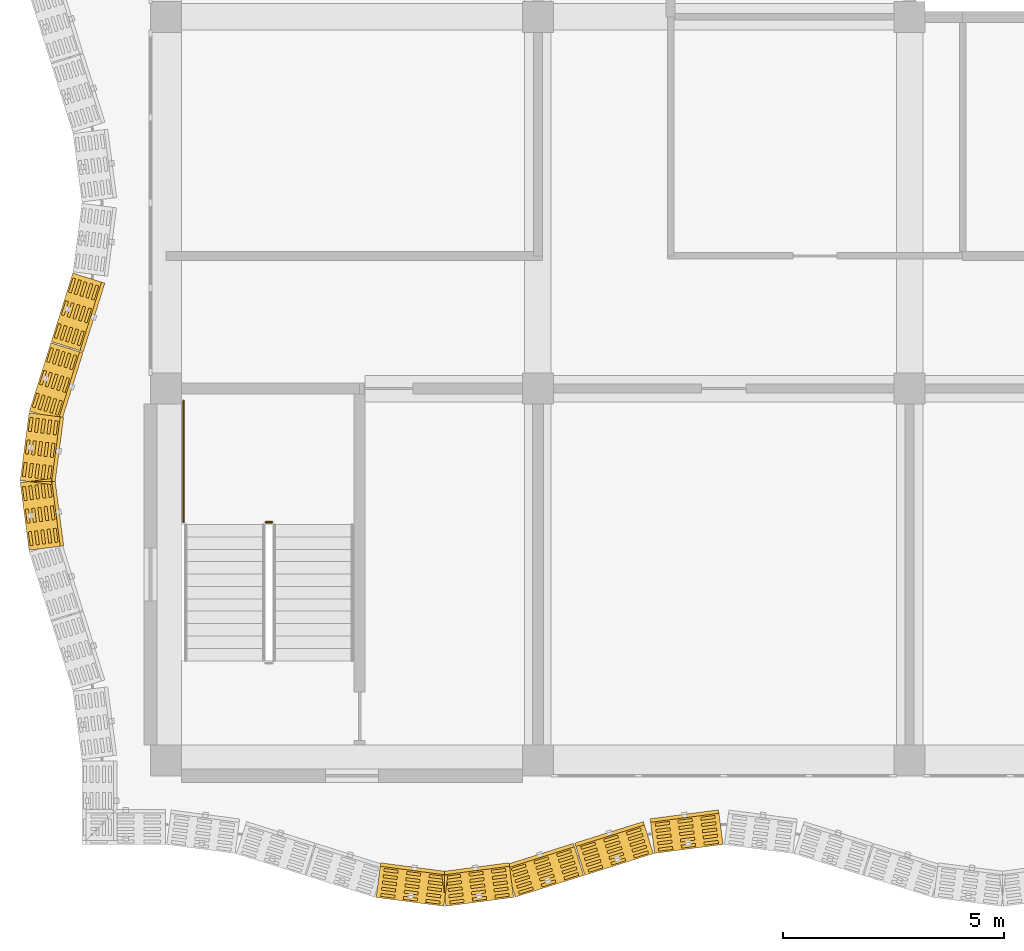
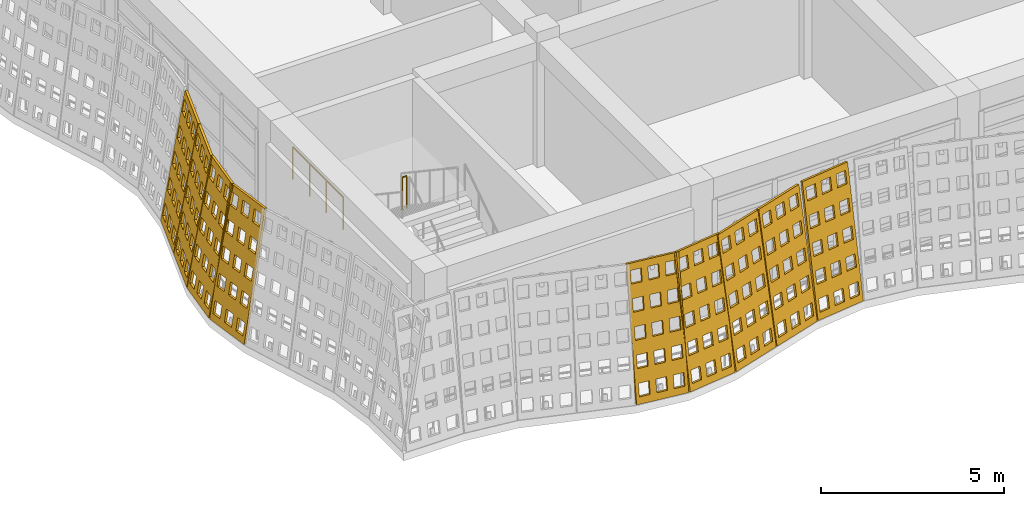
# One storey, part 114 of 162: 9 coverings, 2 railings.
"""IFC4 building model written with IfcOpenShell, lengths in metres."""

from ifc_helpers import new_model, si_unit, direction, frame, origin, origin_2d, place, context, subcontext, project, spatial, polyline, circle, outline, extrude, material, layer, layer_set, type_object, element, save


model = new_model("IFC4")

# Units and contexts
model_context = context("Model", 3, precision=1e-05, world=origin(), true_north=direction((0.0, 1.0)))
body_context = subcontext(model_context, "Body", "Model", "MODEL_VIEW")
ifc_project = project(units=[si_unit("LENGTHUNIT", "METRE"), si_unit("AREAUNIT", "SQUARE_METRE"), si_unit("VOLUMEUNIT", "CUBIC_METRE"), si_unit("PLANEANGLEUNIT", "RADIAN"), si_unit("MASSUNIT", "GRAM", prefix="KILO")], contexts=[model_context])

# Site, building, storey
site_placement = place(None, origin())
site = spatial("IfcSite", under=ifc_project, at=site_placement, CompositionType="ELEMENT")
building_placement = place(site_placement, origin())
building = spatial("IfcBuilding", under=site, at=building_placement, Name="Rain Tree Exposition and Congress Centre", CompositionType="ELEMENT")
storey_placement = place(building_placement, frame((0.0, 0.0, 6.0)))
storey = spatial("IfcBuildingStorey", under=building, at=storey_placement, Name="L01", CompositionType="ELEMENT", Elevation=6.0)

# Coverings
ifc_material_1 = material(Name="Perforated terracotta", Category="masonry")
ifc_layer = layer(ifc_material_1, 0.080078125)
ifc_layer_set = layer_set([ifc_layer], Name="Perforated terracotta")
covering_type = type_object("IfcCoveringType", Name="Terracotta screen 80", PredefinedType="CLADDING", material=ifc_layer_set)
covering_1_placement = place(storey_placement, frame((4.725341796875, -3.093017578125, 0.01318359375), z_axis=(0.128349774249, 0.9779030419, -0.165021138321), x_axis=(-0.991496427865, 0.130133906157, 0.0)))
element("IfcCovering", 1, at=covering_1_placement, inside=storey, type_object=covering_type, Name="wing/screen/L01/004", PredefinedType="CLADDING", context=body_context, shape_type="SweptSolid", body=[
    extrude(outline(polyline([(-1.56298828125, 0.0), (-1.56298828125, 4.295166015625), (-0.02197265625, 4.295166015625), (-0.02197265625, 0.0), (-1.56298828125, 0.0)]), holes=[polyline([(-0.11962890625, 0.2216796875), (-0.11962890625, 0.63720703125), (-0.43798828125, 0.63720703125), (-0.43798828125, 0.2216796875), (-0.11962890625, 0.2216796875)]), polyline([(-0.11962890625, 1.080810546875), (-0.11962890625, 1.496337890625), (-0.43798828125, 1.496337890625), (-0.43798828125, 1.080810546875), (-0.11962890625, 1.080810546875)]), polyline([(-0.11962890625, 1.939697265625), (-0.11962890625, 2.35546875), (-0.43798828125, 2.35546875), (-0.43798828125, 1.939697265625), (-0.11962890625, 1.939697265625)]), polyline([(-0.11962890625, 2.798583984375), (-0.11962890625, 3.21435546875), (-0.43798828125, 3.21435546875), (-0.43798828125, 2.798583984375), (-0.11962890625, 2.798583984375)]), polyline([(-0.11962890625, 3.65771484375), (-0.11962890625, 4.073486328125), (-0.43798828125, 4.073486328125), (-0.43798828125, 3.65771484375), (-0.11962890625, 3.65771484375)]), polyline([(-0.63330078125, 0.2216796875), (-0.63330078125, 0.63720703125), (-0.95166015625, 0.63720703125), (-0.95166015625, 0.2216796875), (-0.63330078125, 0.2216796875)]), polyline([(-0.63330078125, 1.080810546875), (-0.63330078125, 1.496337890625), (-0.95166015625, 1.496337890625), (-0.95166015625, 1.080810546875), (-0.63330078125, 1.080810546875)]), polyline([(-0.63330078125, 1.939697265625), (-0.63330078125, 2.35546875), (-0.95166015625, 2.35546875), (-0.95166015625, 1.939697265625), (-0.63330078125, 1.939697265625)]), polyline([(-0.63330078125, 2.798583984375), (-0.63330078125, 3.21435546875), (-0.95166015625, 3.21435546875), (-0.95166015625, 2.798583984375), (-0.63330078125, 2.798583984375)]), polyline([(-0.63330078125, 3.65771484375), (-0.63330078125, 4.073486328125), (-0.95166015625, 4.073486328125), (-0.95166015625, 3.65771484375), (-0.63330078125, 3.65771484375)]), polyline([(-1.146728515625, 0.2216796875), (-1.146728515625, 0.63720703125), (-1.46533203125, 0.63720703125), (-1.46533203125, 0.2216796875), (-1.146728515625, 0.2216796875)]), polyline([(-1.146728515625, 1.080810546875), (-1.146728515625, 1.496337890625), (-1.46533203125, 1.496337890625), (-1.46533203125, 1.080810546875), (-1.146728515625, 1.080810546875)]), polyline([(-1.146728515625, 1.939697265625), (-1.146728515625, 2.35546875), (-1.46533203125, 2.35546875), (-1.46533203125, 1.939697265625), (-1.146728515625, 1.939697265625)]), polyline([(-1.146728515625, 2.798583984375), (-1.146728515625, 3.21435546875), (-1.46533203125, 3.21435546875), (-1.46533203125, 2.798583984375), (-1.146728515625, 2.798583984375)]), polyline([(-1.146728515625, 3.65771484375), (-1.146728515625, 4.073486328125), (-1.46533203125, 4.073486328125), (-1.46533203125, 3.65771484375), (-1.146728515625, 3.65771484375)])]), origin(), (0.0, 0.0, 1.0), 0.079833984375),
])
covering_2_placement = place(storey_placement, frame((6.2998046875, -3.298095703125, 0.01318359375), z_axis=(-0.128349774249, 0.9779030419, -0.165021138321), x_axis=(-0.991496427865, -0.130133906157, 0.0)))
element("IfcCovering", 2, at=covering_2_placement, inside=storey, type_object=covering_type, Name="wing/screen/L01/005", PredefinedType="CLADDING", context=body_context, shape_type="SweptSolid", body=[
    extrude(outline(polyline([(-1.56640625, 0.0), (-1.56640625, 4.295166015625), (-0.025390625, 4.295166015625), (-0.025390625, 0.0), (-1.56640625, 0.0)]), holes=[polyline([(-0.123046875, 0.2216796875), (-0.123046875, 0.63720703125), (-0.44140625, 0.63720703125), (-0.44140625, 0.2216796875), (-0.123046875, 0.2216796875)]), polyline([(-0.123046875, 1.080810546875), (-0.123046875, 1.496337890625), (-0.44140625, 1.496337890625), (-0.44140625, 1.080810546875), (-0.123046875, 1.080810546875)]), polyline([(-0.123046875, 1.939697265625), (-0.123046875, 2.35546875), (-0.44140625, 2.35546875), (-0.44140625, 1.939697265625), (-0.123046875, 1.939697265625)]), polyline([(-0.123046875, 2.798583984375), (-0.123046875, 3.21435546875), (-0.44140625, 3.21435546875), (-0.44140625, 2.798583984375), (-0.123046875, 2.798583984375)]), polyline([(-0.123046875, 3.65771484375), (-0.123046875, 4.073486328125), (-0.44140625, 4.073486328125), (-0.44140625, 3.65771484375), (-0.123046875, 3.65771484375)]), polyline([(-0.63671875, 0.2216796875), (-0.63671875, 0.63720703125), (-0.955078125, 0.63720703125), (-0.955078125, 0.2216796875), (-0.63671875, 0.2216796875)]), polyline([(-0.63671875, 1.080810546875), (-0.63671875, 1.496337890625), (-0.955078125, 1.496337890625), (-0.955078125, 1.080810546875), (-0.63671875, 1.080810546875)]), polyline([(-0.63671875, 1.939697265625), (-0.63671875, 2.35546875), (-0.955078125, 2.35546875), (-0.955078125, 1.939697265625), (-0.63671875, 1.939697265625)]), polyline([(-0.63671875, 2.798583984375), (-0.63671875, 3.21435546875), (-0.955078125, 3.21435546875), (-0.955078125, 2.798583984375), (-0.63671875, 2.798583984375)]), polyline([(-0.63671875, 3.65771484375), (-0.63671875, 4.073486328125), (-0.955078125, 4.073486328125), (-0.955078125, 3.65771484375), (-0.63671875, 3.65771484375)]), polyline([(-1.150146484375, 0.2216796875), (-1.150146484375, 0.63720703125), (-1.46875, 0.63720703125), (-1.46875, 0.2216796875), (-1.150146484375, 0.2216796875)]), polyline([(-1.150146484375, 1.080810546875), (-1.150146484375, 1.496337890625), (-1.46875, 1.496337890625), (-1.46875, 1.080810546875), (-1.150146484375, 1.080810546875)]), polyline([(-1.150146484375, 1.939697265625), (-1.150146484375, 2.35546875), (-1.46875, 2.35546875), (-1.46875, 1.939697265625), (-1.150146484375, 1.939697265625)]), polyline([(-1.150146484375, 2.798583984375), (-1.150146484375, 3.21435546875), (-1.46875, 3.21435546875), (-1.46875, 2.798583984375), (-1.150146484375, 2.798583984375)]), polyline([(-1.150146484375, 3.65771484375), (-1.150146484375, 4.073486328125), (-1.46875, 4.073486328125), (-1.46875, 3.65771484375), (-1.150146484375, 3.65771484375)])]), origin(), (0.0, 0.0, 1.0), 0.079833984375),
])
covering_3_placement = place(storey_placement, frame((7.87451171875, -3.093505859375, 0.0126953125), z_axis=(-0.298496232686, 0.941176896939, -0.158385756119), x_axis=(-0.953208958144, -0.302312226207, 0.0)))
element("IfcCovering", 3, at=covering_3_placement, inside=storey, type_object=covering_type, Name="wing/screen/L01/006", PredefinedType="CLADDING", context=body_context, shape_type="SweptSolid", body=[
    extrude(outline(polyline([(-1.635986328125, 0.0), (-1.635986328125, 4.291259765625), (-0.02197265625, 4.291259765625), (-0.02197265625, 0.0), (-1.635986328125, 0.0)]), holes=[polyline([(-0.124267578125, 0.221435546875), (-0.124267578125, 0.63671875), (-0.457763671875, 0.63671875), (-0.457763671875, 0.221435546875), (-0.124267578125, 0.221435546875)]), polyline([(-0.124267578125, 1.07958984375), (-0.124267578125, 1.4951171875), (-0.457763671875, 1.4951171875), (-0.457763671875, 1.07958984375), (-0.124267578125, 1.07958984375)]), polyline([(-0.124267578125, 1.93798828125), (-0.124267578125, 2.353271484375), (-0.457763671875, 2.353271484375), (-0.457763671875, 1.93798828125), (-0.124267578125, 1.93798828125)]), polyline([(-0.124267578125, 2.796142578125), (-0.124267578125, 3.21142578125), (-0.457763671875, 3.21142578125), (-0.457763671875, 2.796142578125), (-0.124267578125, 2.796142578125)]), polyline([(-0.124267578125, 3.654541015625), (-0.124267578125, 4.06982421875), (-0.457763671875, 4.06982421875), (-0.457763671875, 3.654541015625), (-0.124267578125, 3.654541015625)]), polyline([(-0.662109375, 0.221435546875), (-0.662109375, 0.63671875), (-0.995849609375, 0.63671875), (-0.995849609375, 0.221435546875), (-0.662109375, 0.221435546875)]), polyline([(-0.662109375, 1.07958984375), (-0.662109375, 1.4951171875), (-0.995849609375, 1.4951171875), (-0.995849609375, 1.07958984375), (-0.662109375, 1.07958984375)]), polyline([(-0.662109375, 1.93798828125), (-0.662109375, 2.353271484375), (-0.995849609375, 2.353271484375), (-0.995849609375, 1.93798828125), (-0.662109375, 1.93798828125)]), polyline([(-0.662109375, 2.796142578125), (-0.662109375, 3.21142578125), (-0.995849609375, 3.21142578125), (-0.995849609375, 2.796142578125), (-0.662109375, 2.796142578125)]), polyline([(-0.662109375, 3.654541015625), (-0.662109375, 4.06982421875), (-0.995849609375, 4.06982421875), (-0.995849609375, 3.654541015625), (-0.662109375, 3.654541015625)]), polyline([(-1.2001953125, 0.221435546875), (-1.2001953125, 0.63671875), (-1.53369140625, 0.63671875), (-1.53369140625, 0.221435546875), (-1.2001953125, 0.221435546875)]), polyline([(-1.2001953125, 1.07958984375), (-1.2001953125, 1.4951171875), (-1.53369140625, 1.4951171875), (-1.53369140625, 1.07958984375), (-1.2001953125, 1.07958984375)]), polyline([(-1.2001953125, 1.93798828125), (-1.2001953125, 2.353271484375), (-1.53369140625, 2.353271484375), (-1.53369140625, 1.93798828125), (-1.2001953125, 1.93798828125)]), polyline([(-1.2001953125, 2.796142578125), (-1.2001953125, 3.21142578125), (-1.53369140625, 3.21142578125), (-1.53369140625, 2.796142578125), (-1.2001953125, 2.796142578125)]), polyline([(-1.2001953125, 3.654541015625), (-1.2001953125, 4.06982421875), (-1.53369140625, 4.06982421875), (-1.53369140625, 3.654541015625), (-1.2001953125, 3.654541015625)])]), origin(), (0.0, 0.0, 1.0), 0.080078125),
])
covering_4_placement = place(storey_placement, frame((9.449462890625, -2.598388671875, 0.0126953125), z_axis=(-0.295717964052, 0.942029390639, -0.158529217842), x_axis=(-0.954094597562, -0.29950542383, 0.0)))
element("IfcCovering", 4, at=covering_4_placement, inside=storey, type_object=covering_type, Name="wing/screen/L01/007", PredefinedType="CLADDING", context=body_context, shape_type="SweptSolid", body=[
    extrude(outline(polyline([(-1.635986328125, 0.0), (-1.635986328125, 4.291259765625), (-0.014892578125, 4.291259765625), (-0.014892578125, 0.0), (-1.635986328125, 0.0)]), holes=[polyline([(-0.11767578125, 0.221435546875), (-0.11767578125, 0.63671875), (-0.45263671875, 0.63671875), (-0.45263671875, 0.221435546875), (-0.11767578125, 0.221435546875)]), polyline([(-0.11767578125, 1.07958984375), (-0.11767578125, 1.4951171875), (-0.45263671875, 1.4951171875), (-0.45263671875, 1.07958984375), (-0.11767578125, 1.07958984375)]), polyline([(-0.11767578125, 1.93798828125), (-0.11767578125, 2.353271484375), (-0.45263671875, 2.353271484375), (-0.45263671875, 1.93798828125), (-0.11767578125, 1.93798828125)]), polyline([(-0.11767578125, 2.796142578125), (-0.11767578125, 3.21142578125), (-0.45263671875, 3.21142578125), (-0.45263671875, 2.796142578125), (-0.11767578125, 2.796142578125)]), polyline([(-0.11767578125, 3.654541015625), (-0.11767578125, 4.06982421875), (-0.45263671875, 4.06982421875), (-0.45263671875, 3.654541015625), (-0.11767578125, 3.654541015625)]), polyline([(-0.657958984375, 0.221435546875), (-0.657958984375, 0.63671875), (-0.992919921875, 0.63671875), (-0.992919921875, 0.221435546875), (-0.657958984375, 0.221435546875)]), polyline([(-0.657958984375, 1.07958984375), (-0.657958984375, 1.4951171875), (-0.992919921875, 1.4951171875), (-0.992919921875, 1.07958984375), (-0.657958984375, 1.07958984375)]), polyline([(-0.657958984375, 1.93798828125), (-0.657958984375, 2.353271484375), (-0.992919921875, 2.353271484375), (-0.992919921875, 1.93798828125), (-0.657958984375, 1.93798828125)]), polyline([(-0.657958984375, 2.796142578125), (-0.657958984375, 3.21142578125), (-0.992919921875, 3.21142578125), (-0.992919921875, 2.796142578125), (-0.657958984375, 2.796142578125)]), polyline([(-0.657958984375, 3.654541015625), (-0.657958984375, 4.06982421875), (-0.992919921875, 4.06982421875), (-0.992919921875, 3.654541015625), (-0.657958984375, 3.654541015625)]), polyline([(-1.1982421875, 0.221435546875), (-1.1982421875, 0.63671875), (-1.533203125, 0.63671875), (-1.533203125, 0.221435546875), (-1.1982421875, 0.221435546875)]), polyline([(-1.1982421875, 1.07958984375), (-1.1982421875, 1.4951171875), (-1.533203125, 1.4951171875), (-1.533203125, 1.07958984375), (-1.1982421875, 1.07958984375)]), polyline([(-1.1982421875, 1.93798828125), (-1.1982421875, 2.353271484375), (-1.533203125, 2.353271484375), (-1.533203125, 1.93798828125), (-1.1982421875, 1.93798828125)]), polyline([(-1.1982421875, 2.796142578125), (-1.1982421875, 3.21142578125), (-1.533203125, 3.21142578125), (-1.533203125, 2.796142578125), (-1.1982421875, 2.796142578125)]), polyline([(-1.1982421875, 3.654541015625), (-1.1982421875, 4.06982421875), (-1.533203125, 4.06982421875), (-1.533203125, 3.654541015625), (-1.1982421875, 3.654541015625)])]), origin(), (0.0, 0.0, 1.0), 0.080078125),
])
covering_5_placement = place(storey_placement, frame((11.024658203125, -2.10302734375, 0.01318359375), z_axis=(-0.128349774249, 0.9779030419, -0.165021138321), x_axis=(-0.991496427865, -0.130133906157, 0.0)))
element("IfcCovering", 5, at=covering_5_placement, inside=storey, type_object=covering_type, Name="wing/screen/L01/008", PredefinedType="CLADDING", context=body_context, shape_type="SweptSolid", body=[
    extrude(outline(polyline([(-1.5732421875, 0.0), (-1.5732421875, 4.295166015625), (-0.014892578125, 4.295166015625), (-0.014892578125, 0.0), (-1.5732421875, 0.0)]), holes=[polyline([(-0.11376953125, 0.2216796875), (-0.11376953125, 0.63720703125), (-0.435791015625, 0.63720703125), (-0.435791015625, 0.2216796875), (-0.11376953125, 0.2216796875)]), polyline([(-0.11376953125, 1.080810546875), (-0.11376953125, 1.496337890625), (-0.435791015625, 1.496337890625), (-0.435791015625, 1.080810546875), (-0.11376953125, 1.080810546875)]), polyline([(-0.11376953125, 1.939697265625), (-0.11376953125, 2.35546875), (-0.435791015625, 2.35546875), (-0.435791015625, 1.939697265625), (-0.11376953125, 1.939697265625)]), polyline([(-0.11376953125, 2.798583984375), (-0.11376953125, 3.21435546875), (-0.435791015625, 3.21435546875), (-0.435791015625, 2.798583984375), (-0.11376953125, 2.798583984375)]), polyline([(-0.11376953125, 3.65771484375), (-0.11376953125, 4.073486328125), (-0.435791015625, 4.073486328125), (-0.435791015625, 3.65771484375), (-0.11376953125, 3.65771484375)]), polyline([(-0.633056640625, 0.2216796875), (-0.633056640625, 0.63720703125), (-0.955078125, 0.63720703125), (-0.955078125, 0.2216796875), (-0.633056640625, 0.2216796875)]), polyline([(-0.633056640625, 1.080810546875), (-0.633056640625, 1.496337890625), (-0.955078125, 1.496337890625), (-0.955078125, 1.080810546875), (-0.633056640625, 1.080810546875)]), polyline([(-0.633056640625, 1.939697265625), (-0.633056640625, 2.35546875), (-0.955078125, 2.35546875), (-0.955078125, 1.939697265625), (-0.633056640625, 1.939697265625)]), polyline([(-0.633056640625, 2.798583984375), (-0.633056640625, 3.21435546875), (-0.955078125, 3.21435546875), (-0.955078125, 2.798583984375), (-0.633056640625, 2.798583984375)]), polyline([(-0.633056640625, 3.65771484375), (-0.633056640625, 4.073486328125), (-0.955078125, 4.073486328125), (-0.955078125, 3.65771484375), (-0.633056640625, 3.65771484375)]), polyline([(-1.152587890625, 0.2216796875), (-1.152587890625, 0.63720703125), (-1.474609375, 0.63720703125), (-1.474609375, 0.2216796875), (-1.152587890625, 0.2216796875)]), polyline([(-1.152587890625, 1.080810546875), (-1.152587890625, 1.496337890625), (-1.474609375, 1.496337890625), (-1.474609375, 1.080810546875), (-1.152587890625, 1.080810546875)]), polyline([(-1.152587890625, 1.939697265625), (-1.152587890625, 2.35546875), (-1.474609375, 2.35546875), (-1.474609375, 1.939697265625), (-1.152587890625, 1.939697265625)]), polyline([(-1.152587890625, 2.798583984375), (-1.152587890625, 3.21435546875), (-1.474609375, 3.21435546875), (-1.474609375, 2.798583984375), (-1.152587890625, 2.798583984375)]), polyline([(-1.152587890625, 3.65771484375), (-1.152587890625, 4.073486328125), (-1.474609375, 4.073486328125), (-1.474609375, 3.65771484375), (-1.152587890625, 3.65771484375)])]), origin(), (0.0, 0.0, 1.0), 0.079833984375),
])
covering_6_placement = place(storey_placement, frame((-2.103515625, 11.0244140625, 0.0126953125), z_axis=(0.942029390639, -0.295717964052, -0.158529217842), x_axis=(0.29950542383, 0.954094597562, 0.0)))
element("IfcCovering", 6, at=covering_6_placement, inside=storey, type_object=covering_type, Name="wing/screen/L01/128", PredefinedType="CLADDING", context=body_context, shape_type="SweptSolid", body=[
    extrude(outline(polyline([(-1.635986328125, 0.0), (-1.635986328125, 4.291259765625), (-0.014892578125, 4.291259765625), (-0.014892578125, 0.0), (-1.635986328125, 0.0)]), holes=[polyline([(-0.11767578125, 0.221435546875), (-0.11767578125, 0.63671875), (-0.45263671875, 0.63671875), (-0.45263671875, 0.221435546875), (-0.11767578125, 0.221435546875)]), polyline([(-0.11767578125, 1.07958984375), (-0.11767578125, 1.4951171875), (-0.45263671875, 1.4951171875), (-0.45263671875, 1.07958984375), (-0.11767578125, 1.07958984375)]), polyline([(-0.11767578125, 1.93798828125), (-0.11767578125, 2.353271484375), (-0.45263671875, 2.353271484375), (-0.45263671875, 1.93798828125), (-0.11767578125, 1.93798828125)]), polyline([(-0.11767578125, 2.796142578125), (-0.11767578125, 3.21142578125), (-0.45263671875, 3.21142578125), (-0.45263671875, 2.796142578125), (-0.11767578125, 2.796142578125)]), polyline([(-0.11767578125, 3.654541015625), (-0.11767578125, 4.06982421875), (-0.45263671875, 4.06982421875), (-0.45263671875, 3.654541015625), (-0.11767578125, 3.654541015625)]), polyline([(-0.657958984375, 0.221435546875), (-0.657958984375, 0.63671875), (-0.992919921875, 0.63671875), (-0.992919921875, 0.221435546875), (-0.657958984375, 0.221435546875)]), polyline([(-0.657958984375, 1.07958984375), (-0.657958984375, 1.4951171875), (-0.992919921875, 1.4951171875), (-0.992919921875, 1.07958984375), (-0.657958984375, 1.07958984375)]), polyline([(-0.657958984375, 1.93798828125), (-0.657958984375, 2.353271484375), (-0.992919921875, 2.353271484375), (-0.992919921875, 1.93798828125), (-0.657958984375, 1.93798828125)]), polyline([(-0.657958984375, 2.796142578125), (-0.657958984375, 3.21142578125), (-0.992919921875, 3.21142578125), (-0.992919921875, 2.796142578125), (-0.657958984375, 2.796142578125)]), polyline([(-0.657958984375, 3.654541015625), (-0.657958984375, 4.06982421875), (-0.992919921875, 4.06982421875), (-0.992919921875, 3.654541015625), (-0.657958984375, 3.654541015625)]), polyline([(-1.1982421875, 0.221435546875), (-1.1982421875, 0.63671875), (-1.533203125, 0.63671875), (-1.533203125, 0.221435546875), (-1.1982421875, 0.221435546875)]), polyline([(-1.1982421875, 1.07958984375), (-1.1982421875, 1.4951171875), (-1.533203125, 1.4951171875), (-1.533203125, 1.07958984375), (-1.1982421875, 1.07958984375)]), polyline([(-1.1982421875, 1.93798828125), (-1.1982421875, 2.353271484375), (-1.533203125, 2.353271484375), (-1.533203125, 1.93798828125), (-1.1982421875, 1.93798828125)]), polyline([(-1.1982421875, 2.796142578125), (-1.1982421875, 3.21142578125), (-1.533203125, 3.21142578125), (-1.533203125, 2.796142578125), (-1.1982421875, 2.796142578125)]), polyline([(-1.1982421875, 3.654541015625), (-1.1982421875, 4.06982421875), (-1.533203125, 4.06982421875), (-1.533203125, 3.654541015625), (-1.1982421875, 3.654541015625)])]), origin(), (0.0, 0.0, 1.0), 0.080078125),
])
covering_7_placement = place(storey_placement, frame((-2.598388671875, 9.449462890625, 0.0126953125), z_axis=(0.942029390639, -0.295717964052, -0.158529217842), x_axis=(0.29950542383, 0.954094597562, 0.0)))
element("IfcCovering", 7, at=covering_7_placement, inside=storey, type_object=covering_type, Name="wing/screen/L01/129", PredefinedType="CLADDING", context=body_context, shape_type="SweptSolid", body=[
    extrude(outline(polyline([(-1.62890625, 0.0), (-1.62890625, 4.291259765625), (-0.014892578125, 4.291259765625), (-0.014892578125, 0.0), (-1.62890625, 0.0)]), holes=[polyline([(-0.1171875, 0.221435546875), (-0.1171875, 0.63671875), (-0.45068359375, 0.63671875), (-0.45068359375, 0.221435546875), (-0.1171875, 0.221435546875)]), polyline([(-0.1171875, 1.07958984375), (-0.1171875, 1.4951171875), (-0.45068359375, 1.4951171875), (-0.45068359375, 1.07958984375), (-0.1171875, 1.07958984375)]), polyline([(-0.1171875, 1.93798828125), (-0.1171875, 2.353271484375), (-0.45068359375, 2.353271484375), (-0.45068359375, 1.93798828125), (-0.1171875, 1.93798828125)]), polyline([(-0.1171875, 2.796142578125), (-0.1171875, 3.21142578125), (-0.45068359375, 3.21142578125), (-0.45068359375, 2.796142578125), (-0.1171875, 2.796142578125)]), polyline([(-0.1171875, 3.654541015625), (-0.1171875, 4.06982421875), (-0.45068359375, 4.06982421875), (-0.45068359375, 3.654541015625), (-0.1171875, 3.654541015625)]), polyline([(-0.6552734375, 0.221435546875), (-0.6552734375, 0.63671875), (-0.98876953125, 0.63671875), (-0.98876953125, 0.221435546875), (-0.6552734375, 0.221435546875)]), polyline([(-0.6552734375, 1.07958984375), (-0.6552734375, 1.4951171875), (-0.98876953125, 1.4951171875), (-0.98876953125, 1.07958984375), (-0.6552734375, 1.07958984375)]), polyline([(-0.6552734375, 1.93798828125), (-0.6552734375, 2.353271484375), (-0.98876953125, 2.353271484375), (-0.98876953125, 1.93798828125), (-0.6552734375, 1.93798828125)]), polyline([(-0.6552734375, 2.796142578125), (-0.6552734375, 3.21142578125), (-0.98876953125, 3.21142578125), (-0.98876953125, 2.796142578125), (-0.6552734375, 2.796142578125)]), polyline([(-0.6552734375, 3.654541015625), (-0.6552734375, 4.06982421875), (-0.98876953125, 4.06982421875), (-0.98876953125, 3.654541015625), (-0.6552734375, 3.654541015625)]), polyline([(-1.193115234375, 0.221435546875), (-1.193115234375, 0.63671875), (-1.526611328125, 0.63671875), (-1.526611328125, 0.221435546875), (-1.193115234375, 0.221435546875)]), polyline([(-1.193115234375, 1.07958984375), (-1.193115234375, 1.4951171875), (-1.526611328125, 1.4951171875), (-1.526611328125, 1.07958984375), (-1.193115234375, 1.07958984375)]), polyline([(-1.193115234375, 1.93798828125), (-1.193115234375, 2.353271484375), (-1.526611328125, 2.353271484375), (-1.526611328125, 1.93798828125), (-1.193115234375, 1.93798828125)]), polyline([(-1.193115234375, 2.796142578125), (-1.193115234375, 3.21142578125), (-1.526611328125, 3.21142578125), (-1.526611328125, 2.796142578125), (-1.193115234375, 2.796142578125)]), polyline([(-1.193115234375, 3.654541015625), (-1.193115234375, 4.06982421875), (-1.526611328125, 4.06982421875), (-1.526611328125, 3.654541015625), (-1.193115234375, 3.654541015625)])]), origin(), (0.0, 0.0, 1.0), 0.080078125),
])
covering_8_placement = place(storey_placement, frame((-3.093017578125, 7.874755859375, 0.01318359375), z_axis=(0.9779030419, -0.128349774249, -0.165021138321), x_axis=(0.130133906157, 0.991496427865, 0.0)))
element("IfcCovering", 8, at=covering_8_placement, inside=storey, type_object=covering_type, Name="wing/screen/L01/130", PredefinedType="CLADDING", context=body_context, shape_type="SweptSolid", body=[
    extrude(outline(polyline([(-1.56298828125, 0.0), (-1.56298828125, 4.295166015625), (-0.02197265625, 4.295166015625), (-0.02197265625, 0.0), (-1.56298828125, 0.0)]), holes=[polyline([(-0.11962890625, 0.2216796875), (-0.11962890625, 0.63720703125), (-0.43798828125, 0.63720703125), (-0.43798828125, 0.2216796875), (-0.11962890625, 0.2216796875)]), polyline([(-0.11962890625, 1.080810546875), (-0.11962890625, 1.496337890625), (-0.43798828125, 1.496337890625), (-0.43798828125, 1.080810546875), (-0.11962890625, 1.080810546875)]), polyline([(-0.11962890625, 1.939697265625), (-0.11962890625, 2.35546875), (-0.43798828125, 2.35546875), (-0.43798828125, 1.939697265625), (-0.11962890625, 1.939697265625)]), polyline([(-0.11962890625, 2.798583984375), (-0.11962890625, 3.21435546875), (-0.43798828125, 3.21435546875), (-0.43798828125, 2.798583984375), (-0.11962890625, 2.798583984375)]), polyline([(-0.11962890625, 3.65771484375), (-0.11962890625, 4.073486328125), (-0.43798828125, 4.073486328125), (-0.43798828125, 3.65771484375), (-0.11962890625, 3.65771484375)]), polyline([(-0.63330078125, 0.2216796875), (-0.63330078125, 0.63720703125), (-0.95166015625, 0.63720703125), (-0.95166015625, 0.2216796875), (-0.63330078125, 0.2216796875)]), polyline([(-0.63330078125, 1.080810546875), (-0.63330078125, 1.496337890625), (-0.95166015625, 1.496337890625), (-0.95166015625, 1.080810546875), (-0.63330078125, 1.080810546875)]), polyline([(-0.63330078125, 1.939697265625), (-0.63330078125, 2.35546875), (-0.95166015625, 2.35546875), (-0.95166015625, 1.939697265625), (-0.63330078125, 1.939697265625)]), polyline([(-0.63330078125, 2.798583984375), (-0.63330078125, 3.21435546875), (-0.95166015625, 3.21435546875), (-0.95166015625, 2.798583984375), (-0.63330078125, 2.798583984375)]), polyline([(-0.63330078125, 3.65771484375), (-0.63330078125, 4.073486328125), (-0.95166015625, 4.073486328125), (-0.95166015625, 3.65771484375), (-0.63330078125, 3.65771484375)]), polyline([(-1.146728515625, 0.2216796875), (-1.146728515625, 0.63720703125), (-1.46533203125, 0.63720703125), (-1.46533203125, 0.2216796875), (-1.146728515625, 0.2216796875)]), polyline([(-1.146728515625, 1.080810546875), (-1.146728515625, 1.496337890625), (-1.46533203125, 1.496337890625), (-1.46533203125, 1.080810546875), (-1.146728515625, 1.080810546875)]), polyline([(-1.146728515625, 1.939697265625), (-1.146728515625, 2.35546875), (-1.46533203125, 2.35546875), (-1.46533203125, 1.939697265625), (-1.146728515625, 1.939697265625)]), polyline([(-1.146728515625, 2.798583984375), (-1.146728515625, 3.21435546875), (-1.46533203125, 3.21435546875), (-1.46533203125, 2.798583984375), (-1.146728515625, 2.798583984375)]), polyline([(-1.146728515625, 3.65771484375), (-1.146728515625, 4.073486328125), (-1.46533203125, 4.073486328125), (-1.46533203125, 3.65771484375), (-1.146728515625, 3.65771484375)])]), origin(), (0.0, 0.0, 1.0), 0.079833984375),
])
covering_9_placement = place(storey_placement, frame((-3.298095703125, 6.30029296875, 0.01318359375), z_axis=(0.9779030419, 0.128349774249, -0.165021138321), x_axis=(-0.130133906157, 0.991496427865, 0.0)))
element("IfcCovering", 9, at=covering_9_placement, inside=storey, type_object=covering_type, Name="wing/screen/L01/131", PredefinedType="CLADDING", context=body_context, shape_type="SweptSolid", body=[
    extrude(outline(polyline([(-1.56640625, 0.0), (-1.56640625, 4.295166015625), (-0.025390625, 4.295166015625), (-0.025390625, 0.0), (-1.56640625, 0.0)]), holes=[polyline([(-0.123046875, 0.2216796875), (-0.123046875, 0.63720703125), (-0.44140625, 0.63720703125), (-0.44140625, 0.2216796875), (-0.123046875, 0.2216796875)]), polyline([(-0.123046875, 1.080810546875), (-0.123046875, 1.496337890625), (-0.44140625, 1.496337890625), (-0.44140625, 1.080810546875), (-0.123046875, 1.080810546875)]), polyline([(-0.123046875, 1.939697265625), (-0.123046875, 2.35546875), (-0.44140625, 2.35546875), (-0.44140625, 1.939697265625), (-0.123046875, 1.939697265625)]), polyline([(-0.123046875, 2.798583984375), (-0.123046875, 3.21435546875), (-0.44140625, 3.21435546875), (-0.44140625, 2.798583984375), (-0.123046875, 2.798583984375)]), polyline([(-0.123046875, 3.65771484375), (-0.123046875, 4.073486328125), (-0.44140625, 4.073486328125), (-0.44140625, 3.65771484375), (-0.123046875, 3.65771484375)]), polyline([(-0.63671875, 0.2216796875), (-0.63671875, 0.63720703125), (-0.955078125, 0.63720703125), (-0.955078125, 0.2216796875), (-0.63671875, 0.2216796875)]), polyline([(-0.63671875, 1.080810546875), (-0.63671875, 1.496337890625), (-0.955078125, 1.496337890625), (-0.955078125, 1.080810546875), (-0.63671875, 1.080810546875)]), polyline([(-0.63671875, 1.939697265625), (-0.63671875, 2.35546875), (-0.955078125, 2.35546875), (-0.955078125, 1.939697265625), (-0.63671875, 1.939697265625)]), polyline([(-0.63671875, 2.798583984375), (-0.63671875, 3.21435546875), (-0.955078125, 3.21435546875), (-0.955078125, 2.798583984375), (-0.63671875, 2.798583984375)]), polyline([(-0.63671875, 3.65771484375), (-0.63671875, 4.073486328125), (-0.955078125, 4.073486328125), (-0.955078125, 3.65771484375), (-0.63671875, 3.65771484375)]), polyline([(-1.150146484375, 0.2216796875), (-1.150146484375, 0.63720703125), (-1.46875, 0.63720703125), (-1.46875, 0.2216796875), (-1.150146484375, 0.2216796875)]), polyline([(-1.150146484375, 1.080810546875), (-1.150146484375, 1.496337890625), (-1.46875, 1.496337890625), (-1.46875, 1.080810546875), (-1.150146484375, 1.080810546875)]), polyline([(-1.150146484375, 1.939697265625), (-1.150146484375, 2.35546875), (-1.46875, 2.35546875), (-1.46875, 1.939697265625), (-1.150146484375, 1.939697265625)]), polyline([(-1.150146484375, 2.798583984375), (-1.150146484375, 3.21435546875), (-1.46875, 3.21435546875), (-1.46875, 2.798583984375), (-1.150146484375, 2.798583984375)]), polyline([(-1.150146484375, 3.65771484375), (-1.150146484375, 4.073486328125), (-1.46875, 4.073486328125), (-1.46875, 3.65771484375), (-1.150146484375, 3.65771484375)])]), origin(), (0.0, 0.0, 1.0), 0.079833984375),
])

# Railings
ifc_material_2 = material(Name="Steel S355J2H", Category="steel")
railing_type = type_object("IfcRailingType", Name="Wing stair guard 1100", PredefinedType="GUARDRAIL", material=ifc_material_2)
railing_1_placement = place(storey_placement, frame((2.39990234375, 5.3798828125, 2.25)))
element("IfcRailing", 10, at=railing_1_placement, inside=storey, type_object=railing_type, Name="L01 ST-W1 stair guard 2", PredefinedType="GUARDRAIL", context=body_context, shape_type="SweptSolid", body=[
    extrude(circle(Radius=0.02392578125, at=origin_2d()), frame((0.0, 0.0, 1.076171875), z_axis=(-1.0, 0.0, 0.0), x_axis=(0.0, -1.0, 0.0)), (0.0, 0.0, 1.0), 0.14990234375),
    extrude(circle(Radius=0.02099609375, at=origin_2d()), origin(), (0.0, 0.0, 1.0), 1.052001953125),
    extrude(circle(Radius=0.02099609375, at=origin_2d()), frame((-0.14990234375, 0.0, 0.0)), (0.0, 0.0, 1.0), 1.052001953125),
])
railing_2_placement = place(storey_placement, frame((0.39697265625, 5.3798828125, 2.25)))
element("IfcRailing", 11, at=railing_2_placement, inside=storey, type_object=railing_type, Name="wing/stair/ST-W1-L01-LG1", PredefinedType="GUARDRAIL", context=body_context, shape_type="SweptSolid", body=[
    extrude(circle(Radius=0.02392578125, at=origin_2d()), frame((0.0, 0.0, 1.076171875), z_axis=(0.0, 1.0, 0.0), x_axis=(-1.0, 0.0, 0.0)), (0.0, 0.0, 1.0), 2.748046875),
    extrude(circle(Radius=0.02099609375, at=origin_2d()), origin(), (0.0, 0.0, 1.0), 1.052001953125),
    extrude(circle(Radius=0.02099609375, at=origin_2d()), frame((0.0, 0.916015625, 0.0)), (0.0, 0.0, 1.0), 1.052001953125),
    extrude(circle(Radius=0.02099609375, at=origin_2d()), frame((0.0, 1.83203125, 0.0)), (0.0, 0.0, 1.0), 1.052001953125),
    extrude(circle(Radius=0.02099609375, at=origin_2d()), frame((0.0, 2.748046875, 0.0)), (0.0, 0.0, 1.0), 1.052001953125),
])

save(model, "model.ifc")
